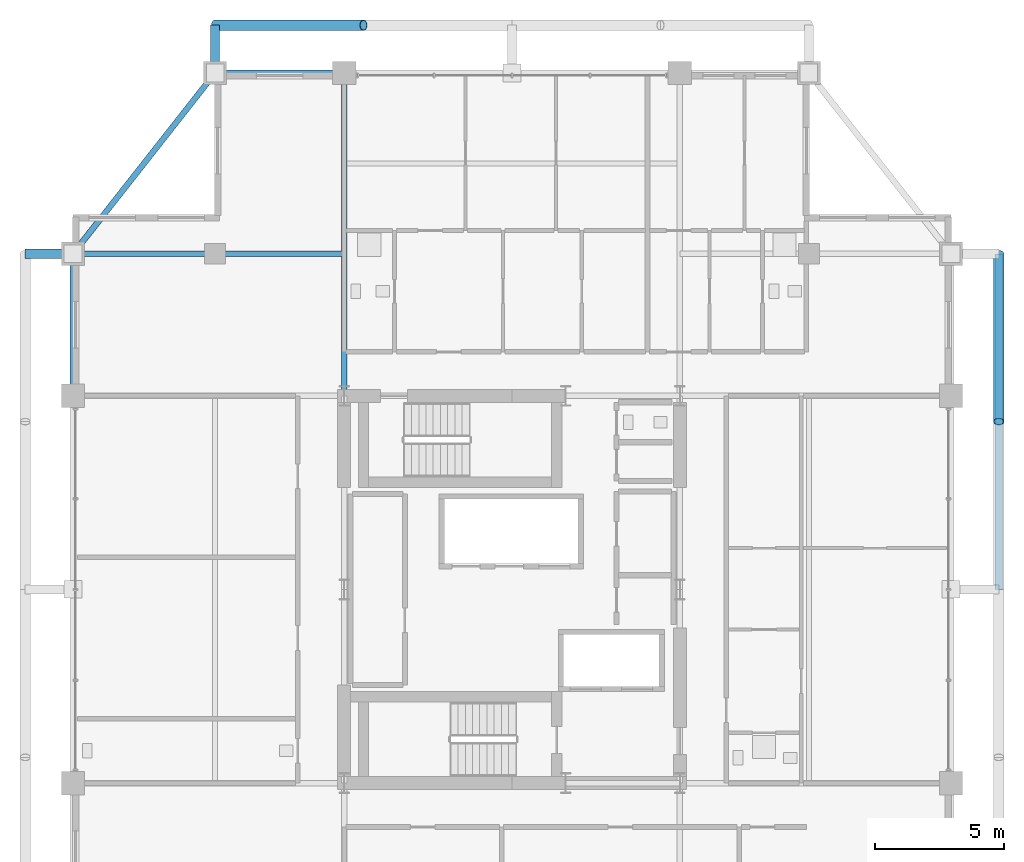
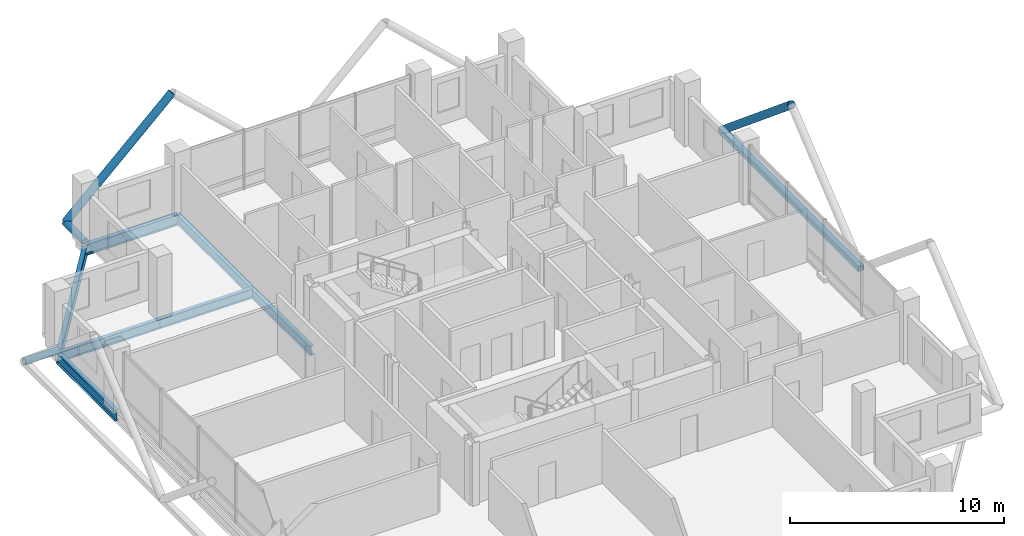
# One storey, part 14 of 24: 6 beams, 5 members.
"""IFC4 building model written with IfcOpenShell, lengths in metres."""

from ifc_helpers import new_model, si_unit, direction, frame, origin, origin_2d, place, context, subcontext, project, spatial, hollow_rectangle, hollow_circle, i_section, extrude, material, material_profile, profile_set, type_object, element, save


model = new_model("IFC4")

# Units and contexts
model_context = context("Model", 3, precision=1e-05, world=origin(), true_north=direction((0.0, 1.0)))
body_context = subcontext(model_context, "Body", "Model", "MODEL_VIEW")
ifc_project = project(units=[si_unit("LENGTHUNIT", "METRE"), si_unit("AREAUNIT", "SQUARE_METRE"), si_unit("VOLUMEUNIT", "CUBIC_METRE"), si_unit("PLANEANGLEUNIT", "RADIAN"), si_unit("MASSUNIT", "GRAM", prefix="KILO")], contexts=[model_context])

# Site, building, storey
site_placement = place(None, origin())
site = spatial("IfcSite", under=ifc_project, at=site_placement, CompositionType="ELEMENT")
building_placement = place(site_placement, origin())
building = spatial("IfcBuilding", under=site, at=building_placement, Name="Barlavira Tower and Art Museum", CompositionType="ELEMENT")
storey_placement = place(building_placement, frame((0.0, 0.0, 283.5)))
storey = spatial("IfcBuildingStorey", under=building, at=storey_placement, Name="L74", CompositionType="ELEMENT", Elevation=283.5)

# Members
ifc_material = material(Name="Steel S355", Category="steel")
ifc_material_profile_1 = material_profile(ifc_material, hollow_circle(Radius=0.203125, WallThickness=0.01611328125, at=origin_2d()), Name="CHS 406.4x16.0")
ifc_profile_set_1 = profile_set([ifc_material_profile_1], Name="Steel S355")
member_type_1 = type_object("IfcMemberType", Name="Pale-Metal Exoskeleton Diagrid Tube CHS 406x16 Steel S355", PredefinedType="BRACE", material=ifc_profile_set_1)
member_1_placement = place(storey_placement, frame((-11.5, 21.85009765625, -0.1201171875), z_axis=(0.728934650808, 0.0, 0.684583285548), x_axis=(0.0, 1.0, 0.0)))
element("IfcMember", 1, at=member_1_placement, inside=storey, type_object=member_type_1, Name="L74 Exoskeleton Diagrid Tube N", PredefinedType="BRACE", context=body_context, shape_type="SweptSolid", body=[
    extrude(hollow_circle(Radius=0.203125, WallThickness=0.01611328125, at=origin_2d()), origin(), (0.0, 0.0, 1.0), 7.88818359375),
])
member_2_placement = place(storey_placement, frame((18.85009765625, 13.0, -0.1201171875), z_axis=(0.0, -0.76918185268, 0.639029950399), x_axis=(1.0, 0.0, 0.0)))
element("IfcMember", 2, at=member_2_placement, inside=storey, type_object=member_type_1, Name="L74 Exoskeleton Diagrid Tube E", PredefinedType="BRACE", context=body_context, shape_type="SweptSolid", body=[
    extrude(hollow_circle(Radius=0.203125, WallThickness=0.01611328125, at=origin_2d()), origin(), (0.0, 0.0, 1.0), 8.450439453125),
])
ifc_material_profile_2 = material_profile(ifc_material, hollow_circle(Radius=0.177734375, WallThickness=0.01611328125, at=origin_2d()), Name="CHS 355.6x16.0")
ifc_profile_set_2 = profile_set([ifc_material_profile_2], Name="Steel S355")
member_type_2 = type_object("IfcMemberType", Name="Pale-Metal Exoskeleton Tie Strut CHS 356x16 Steel S355", PredefinedType="STRUT", material=ifc_profile_set_2)
for number, where, z_axis, x_axis, name in (
    (3, (-11.5, 21.85009765625, -0.1201171875), (0.0, -1.0, 0.0), (1.0, 0.0, 0.0), "L74 Exoskeleton Tie Strut N1"),
    (4, (-18.85009765625, 13.0, -0.1201171875), (1.0, 0.0, 0.0), (0.0, 1.0, 0.0), "L74 Exoskeleton Tie Strut W3"),
):
    element("IfcMember", number, at=place(storey_placement, frame(where, z_axis=z_axis, x_axis=x_axis)), inside=storey, type_object=member_type_2, Name=name, PredefinedType="STRUT", context=body_context, shape_type="SweptSolid", body=[
        extrude(hollow_circle(Radius=0.177734375, WallThickness=0.01611328125, at=origin_2d()), origin(), (0.0, 0.0, 1.0), 1.85009765625),
    ])
ifc_material_profile_3 = material_profile(ifc_material, hollow_rectangle(XDim=0.300048828125, YDim=0.300048828125, WallThickness=0.01611328125, at=origin_2d()), Name="SHS 300x300x16.0")
ifc_profile_set_3 = profile_set([ifc_material_profile_3], Name="Steel S355")
member_type_3 = type_object("IfcMemberType", Name="Pale-Metal Upper Ring Strut SHS 300x300x16 Steel S355", PredefinedType="STRUT", material=ifc_profile_set_3)
member_3_placement = place(storey_placement, frame((18.85009765625, 0.0, -0.1201171875), z_axis=(0.0, 1.0, 0.0), x_axis=(-1.0, 0.0, 0.0)))
element("IfcMember", 5, at=member_3_placement, inside=storey, type_object=member_type_3, Name="L74 Exoskeleton Ring Strut E", PredefinedType="STRUT", context=body_context, shape_type="SweptSolid", body=[
    extrude(hollow_rectangle(XDim=0.300048828125, YDim=0.300048828125, WallThickness=0.01611328125, at=origin_2d()), origin(), (0.0, 0.0, 1.0), 13.0),
])

# Beams
ifc_material_profile_4 = material_profile(ifc_material, i_section(OverallWidth=0.22998046875, OverallDepth=0.616943359375, WebThickness=0.01318359375, FlangeThickness=0.022216796875, at=origin_2d()), Name="W610x140.0")
ifc_profile_set_4 = profile_set([ifc_material_profile_4], Name="Steel S355")
beam_type_1 = type_object("IfcBeamType", Name="Upper Shaft Spandrel Edge Beam W610x140 Steel S355", PredefinedType="SPANDREL", material=ifc_profile_set_4)
beam_1_placement = place(storey_placement, frame((-11.5, 20.0, -0.528564453125), z_axis=(1.0, 0.0, 0.0), x_axis=(0.0, 1.0, 0.0)))
element("IfcBeam", 6, at=beam_1_placement, inside=storey, type_object=beam_type_1, Name="L74 Spandrel 11", PredefinedType="SPANDREL", context=body_context, shape_type="SweptSolid", body=[
    extrude(i_section(OverallWidth=0.22998046875, OverallDepth=0.616943359375, WebThickness=0.01318359375, FlangeThickness=0.022216796875, at=origin_2d()), origin(), (0.0, 0.0, 1.0), 5.0),
])
beam_2_placement = place(storey_placement, frame((-11.5, 20.0, -0.528564453125), z_axis=(-0.617821551932, -0.786318338822, 0.0), x_axis=(0.786318338822, -0.617821551932, 0.0)))
element("IfcBeam", 7, at=beam_2_placement, inside=storey, type_object=beam_type_1, Name="L74 Spandrel 12", PredefinedType="SPANDREL", context=body_context, shape_type="SweptSolid", body=[
    extrude(i_section(OverallWidth=0.22998046875, OverallDepth=0.616943359375, WebThickness=0.01318359375, FlangeThickness=0.022216796875, at=origin_2d()), origin(), (0.0, 0.0, 1.0), 8.90234375),
])
beam_3_placement = place(storey_placement, frame((-17.0, 7.5, -0.528564453125), z_axis=(0.0, 1.0, 0.0), x_axis=(-1.0, 0.0, 0.0)))
element("IfcBeam", 8, at=beam_3_placement, inside=storey, type_object=beam_type_1, Name="L74 Spandrel 13", PredefinedType="SPANDREL", context=body_context, shape_type="SweptSolid", body=[
    extrude(i_section(OverallWidth=0.22998046875, OverallDepth=0.616943359375, WebThickness=0.01318359375, FlangeThickness=0.022216796875, at=origin_2d()), origin(), (0.0, 0.0, 1.0), 5.5),
])
ifc_material_profile_5 = material_profile(ifc_material, i_section(OverallWidth=0.2109375, OverallDepth=0.5390625, WebThickness=0.01171875, FlangeThickness=0.018798828125, at=origin_2d()), Name="W530x109.0")
ifc_profile_set_5 = profile_set([ifc_material_profile_5], Name="Steel S355")
beam_type_2 = type_object("IfcBeamType", Name="Zone 3-4 Primary Floor Girder W530x109 Steel S355", PredefinedType="BEAM", material=ifc_profile_set_5)
beam_4_placement = place(storey_placement, frame((-6.5, 7.5, -0.489501953125), z_axis=(0.0, 1.0, 0.0), x_axis=(-1.0, 0.0, 0.0)))
element("IfcBeam", 9, at=beam_4_placement, inside=storey, type_object=beam_type_2, Name="L74 Girder R-N1", PredefinedType="BEAM", context=body_context, shape_type="SweptSolid", body=[
    extrude(i_section(OverallWidth=0.2109375, OverallDepth=0.5390625, WebThickness=0.01171875, FlangeThickness=0.018798828125, at=origin_2d()), origin(), (0.0, 0.0, 1.0), 12.5),
])
beam_5_placement = place(storey_placement, frame((-17.0, 13.0, -0.489501953125), z_axis=(1.0, 0.0, 0.0), x_axis=(0.0, 1.0, 0.0)))
element("IfcBeam", 10, at=beam_5_placement, inside=storey, type_object=beam_type_2, Name="L74 Girder I-N1", PredefinedType="BEAM", context=body_context, shape_type="SweptSolid", body=[
    extrude(i_section(OverallWidth=0.2109375, OverallDepth=0.5390625, WebThickness=0.01171875, FlangeThickness=0.018798828125, at=origin_2d()), origin(), (0.0, 0.0, 1.0), 5.5),
])
beam_6_placement = place(storey_placement, frame((-11.5, 13.0, -0.489501953125), z_axis=(1.0, 0.0, 0.0), x_axis=(0.0, 1.0, 0.0)))
element("IfcBeam", 11, at=beam_6_placement, inside=storey, type_object=beam_type_2, Name="L74 Girder I-N2", PredefinedType="BEAM", context=body_context, shape_type="SweptSolid", body=[
    extrude(i_section(OverallWidth=0.2109375, OverallDepth=0.5390625, WebThickness=0.01171875, FlangeThickness=0.018798828125, at=origin_2d()), origin(), (0.0, 0.0, 1.0), 5.0),
])

save(model, "model.ifc")
